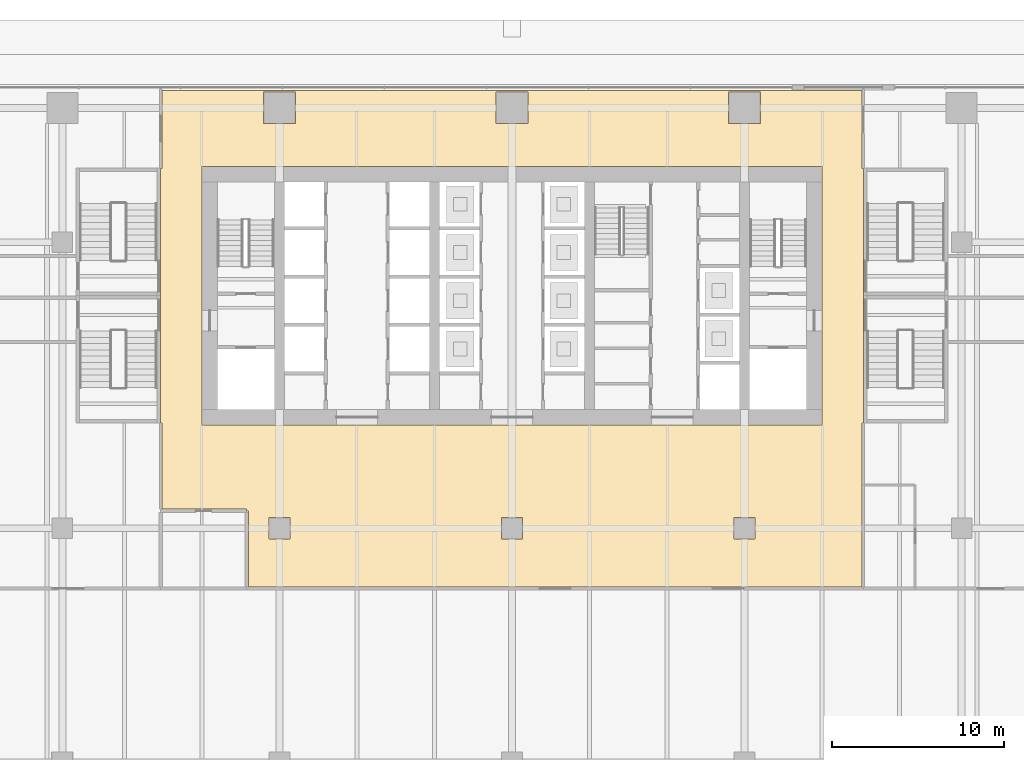
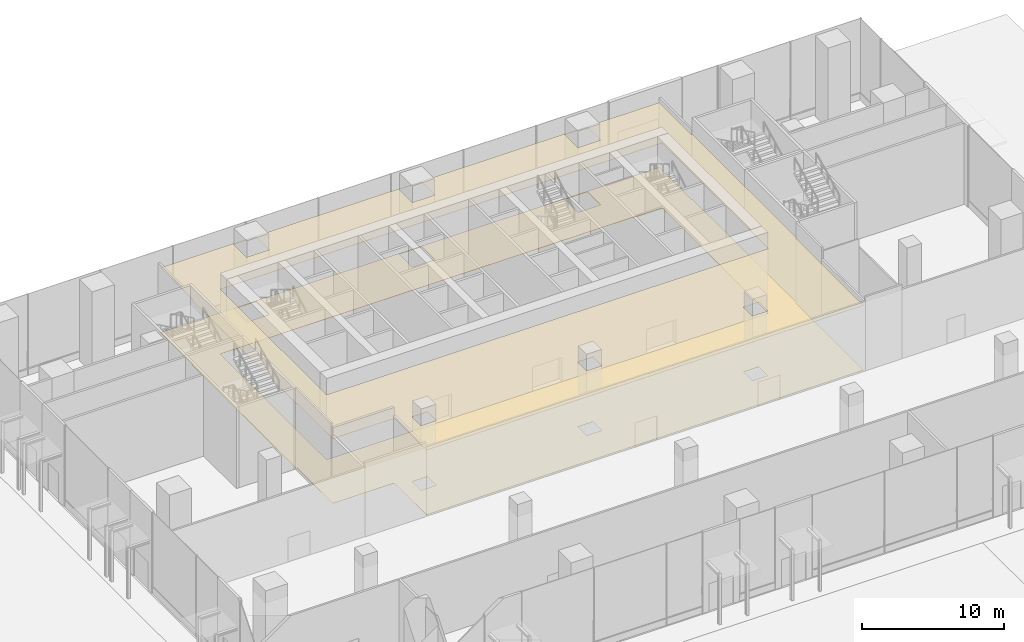
# One storey, part 37 of 41: 2 coverings.
"""IFC4 building model written with IfcOpenShell, lengths in metres."""

from ifc_helpers import new_model, si_unit, direction, frame, origin, place, context, subcontext, project, spatial, polyline, outline, extrude, material, layer, layer_set, type_object, element, save


model = new_model("IFC4")

# Units and contexts
model_context = context("Model", 3, precision=1e-05, world=origin(), true_north=direction((0.0, 1.0)))
body_context = subcontext(model_context, "Body", "Model", "MODEL_VIEW")
ifc_project = project(units=[si_unit("LENGTHUNIT", "METRE"), si_unit("AREAUNIT", "SQUARE_METRE"), si_unit("VOLUMEUNIT", "CUBIC_METRE"), si_unit("PLANEANGLEUNIT", "RADIAN"), si_unit("MASSUNIT", "GRAM", prefix="KILO")], contexts=[model_context])

# Site, building, storey
site_placement = place(None, origin())
site = spatial("IfcSite", under=ifc_project, at=site_placement, CompositionType="ELEMENT")
building_placement = place(site_placement, origin())
building = spatial("IfcBuilding", under=site, at=building_placement, Name="Rattan Terrace Tower", CompositionType="ELEMENT")
storey_placement = place(building_placement, origin())
storey = spatial("IfcBuildingStorey", under=building, at=storey_placement, Name="L00", CompositionType="ELEMENT", Elevation=0.0)

# Coverings
ifc_material_1 = material(Name="Polished limestone", Category="masonry")
ifc_layer_1 = layer(ifc_material_1, 0.02001953125)
ifc_layer_set_1 = layer_set([ifc_layer_1], Name="Lobby Floor Finish Stone 20")
covering_type_1 = type_object("IfcCoveringType", Name="Lobby Floor Finish Stone 20", PredefinedType="FLOORING", material=ifc_layer_set_1)
covering_1_placement = place(storey_placement, origin())
element("IfcCovering", 1, at=covering_1_placement, inside=storey, type_object=covering_type_1, Name="Floor finish L00-101", PredefinedType="FLOORING", context=body_context, shape_type="SweptSolid", body=[
    extrude(outline(polyline([(-20.39990234375, 7.3798828125), (-20.39990234375, 0.0), (-20.39990234375, -7.3798828125), (-20.324951171875, -7.3798828125), (-20.324951171875, -12.39990234375), (-15.39990234375, -12.39990234375), (-15.39990234375, -12.5), (-15.300048828125, -12.5), (-15.300048828125, -16.925048828125), (20.324951171875, -16.925048828125), (20.324951171875, -7.3798828125), (20.39990234375, -7.3798828125), (20.39990234375, 0.0), (20.39990234375, 7.3798828125), (20.324951171875, 7.3798828125), (20.324951171875, 11.909912109375), (-20.324951171875, 11.909912109375), (-20.324951171875, 7.3798828125), (-20.39990234375, 7.3798828125)]), holes=[polyline([(-18.0, -7.5), (18.0, -7.5), (18.0, 7.5), (-18.0, 7.5), (-18.0, -7.5)]), polyline([(14.410888671875, 9.98291015625), (14.4130859375, 9.98388671875), (14.4140625, 9.986083984375), (14.416015625, 9.987060546875), (14.4169921875, 9.989013671875), (14.41796875, 9.989990234375), (14.4189453125, 9.991943359375), (14.4189453125, 9.993896484375), (14.419921875, 9.99609375), (14.419921875, 9.998046875), (14.419921875, 10.0), (14.419921875, 11.800048828125), (14.419921875, 11.802001953125), (14.419921875, 11.803955078125), (14.4189453125, 11.805908203125), (14.4189453125, 11.80810546875), (14.41796875, 11.81005859375), (14.4169921875, 11.81103515625), (14.416015625, 11.81298828125), (14.4140625, 11.81396484375), (14.4130859375, 11.81591796875), (14.410888671875, 11.81689453125), (14.409912109375, 11.818115234375), (14.407958984375, 11.819091796875), (14.406005859375, 11.819091796875), (14.404052734375, 11.820068359375), (14.402099609375, 11.820068359375), (14.39990234375, 11.820068359375), (12.60009765625, 11.820068359375), (12.597900390625, 11.820068359375), (12.595947265625, 11.820068359375), (12.593994140625, 11.819091796875), (12.592041015625, 11.819091796875), (12.590087890625, 11.818115234375), (12.589111328125, 11.81689453125), (12.5869140625, 11.81591796875), (12.5859375, 11.81396484375), (12.583984375, 11.81298828125), (12.5830078125, 11.81103515625), (12.58203125, 11.81005859375), (12.5810546875, 11.80810546875), (12.5810546875, 11.805908203125), (12.580078125, 11.803955078125), (12.580078125, 11.802001953125), (12.580078125, 11.800048828125), (12.580078125, 10.0), (12.580078125, 9.998046875), (12.580078125, 9.99609375), (12.5810546875, 9.993896484375), (12.5810546875, 9.991943359375), (12.58203125, 9.989990234375), (12.5830078125, 9.989013671875), (12.583984375, 9.987060546875), (12.5859375, 9.986083984375), (12.5869140625, 9.98388671875), (12.589111328125, 9.98291015625), (12.590087890625, 9.98193359375), (12.592041015625, 9.98095703125), (12.593994140625, 9.98095703125), (12.595947265625, 9.97998046875), (12.597900390625, 9.97998046875), (12.60009765625, 9.97998046875), (14.39990234375, 9.97998046875), (14.402099609375, 9.97998046875), (14.404052734375, 9.97998046875), (14.406005859375, 9.98095703125), (14.407958984375, 9.98095703125), (14.409912109375, 9.98193359375), (14.410888671875, 9.98291015625)]), polyline([(14.1201171875, -14.10400390625), (14.1201171875, -14.10205078125), (14.1201171875, -14.10009765625), (14.1201171875, -12.89990234375), (14.1201171875, -12.89794921875), (14.1201171875, -12.89599609375), (14.118896484375, -12.89404296875), (14.118896484375, -12.89208984375), (14.117919921875, -12.889892578125), (14.116943359375, -12.888916015625), (14.115966796875, -12.886962890625), (14.114013671875, -12.885986328125), (14.113037109375, -12.884033203125), (14.111083984375, -12.883056640625), (14.110107421875, -12.882080078125), (14.10791015625, -12.881103515625), (14.10595703125, -12.881103515625), (14.10400390625, -12.8798828125), (14.10205078125, -12.8798828125), (14.10009765625, -12.8798828125), (12.89990234375, -12.8798828125), (12.89794921875, -12.8798828125), (12.89599609375, -12.8798828125), (12.89404296875, -12.881103515625), (12.89208984375, -12.881103515625), (12.889892578125, -12.882080078125), (12.888916015625, -12.883056640625), (12.886962890625, -12.884033203125), (12.885986328125, -12.885986328125), (12.884033203125, -12.886962890625), (12.883056640625, -12.888916015625), (12.882080078125, -12.889892578125), (12.881103515625, -12.89208984375), (12.881103515625, -12.89404296875), (12.8798828125, -12.89599609375), (12.8798828125, -12.89794921875), (12.8798828125, -12.89990234375), (12.8798828125, -14.10009765625), (12.8798828125, -14.10205078125), (12.8798828125, -14.10400390625), (12.881103515625, -14.10595703125), (12.881103515625, -14.10791015625), (12.882080078125, -14.110107421875), (12.883056640625, -14.111083984375), (12.884033203125, -14.113037109375), (12.885986328125, -14.114013671875), (12.886962890625, -14.115966796875), (12.888916015625, -14.116943359375), (12.889892578125, -14.117919921875), (12.89208984375, -14.118896484375), (12.89404296875, -14.118896484375), (12.89599609375, -14.1201171875), (12.89794921875, -14.1201171875), (12.89990234375, -14.1201171875), (14.10009765625, -14.1201171875), (14.10205078125, -14.1201171875), (14.10400390625, -14.1201171875), (14.10595703125, -14.118896484375), (14.10791015625, -14.118896484375), (14.110107421875, -14.117919921875), (14.111083984375, -14.116943359375), (14.113037109375, -14.115966796875), (14.114013671875, -14.114013671875), (14.115966796875, -14.113037109375), (14.116943359375, -14.111083984375), (14.117919921875, -14.110107421875), (14.118896484375, -14.10791015625), (14.118896484375, -14.10595703125), (14.1201171875, -14.10400390625)]), polyline([(0.909912109375, 9.98193359375), (0.910888671875, 9.98291015625), (0.9130859375, 9.98388671875), (0.9140625, 9.986083984375), (0.916015625, 9.987060546875), (0.9169921875, 9.989013671875), (0.91796875, 9.989990234375), (0.9189453125, 9.991943359375), (0.9189453125, 9.993896484375), (0.919921875, 9.99609375), (0.919921875, 9.998046875), (0.919921875, 10.0), (0.919921875, 11.800048828125), (0.919921875, 11.802001953125), (0.919921875, 11.803955078125), (0.9189453125, 11.805908203125), (0.9189453125, 11.80810546875), (0.91796875, 11.81005859375), (0.9169921875, 11.81103515625), (0.916015625, 11.81298828125), (0.9140625, 11.81396484375), (0.9130859375, 11.81591796875), (0.910888671875, 11.81689453125), (0.909912109375, 11.818115234375), (0.907958984375, 11.819091796875), (0.906005859375, 11.819091796875), (0.904052734375, 11.820068359375), (0.902099609375, 11.820068359375), (0.89990234375, 11.820068359375), (-0.89990234375, 11.820068359375), (-0.902099609375, 11.820068359375), (-0.904052734375, 11.820068359375), (-0.906005859375, 11.819091796875), (-0.907958984375, 11.819091796875), (-0.909912109375, 11.818115234375), (-0.910888671875, 11.81689453125), (-0.9130859375, 11.81591796875), (-0.9140625, 11.81396484375), (-0.916015625, 11.81298828125), (-0.9169921875, 11.81103515625), (-0.91796875, 11.81005859375), (-0.9189453125, 11.80810546875), (-0.9189453125, 11.805908203125), (-0.919921875, 11.803955078125), (-0.919921875, 11.802001953125), (-0.919921875, 11.800048828125), (-0.919921875, 10.0), (-0.919921875, 9.998046875), (-0.919921875, 9.99609375), (-0.9189453125, 9.993896484375), (-0.9189453125, 9.991943359375), (-0.91796875, 9.989990234375), (-0.9169921875, 9.989013671875), (-0.916015625, 9.987060546875), (-0.9140625, 9.986083984375), (-0.9130859375, 9.98388671875), (-0.910888671875, 9.98291015625), (-0.909912109375, 9.98193359375), (-0.907958984375, 9.98095703125), (-0.906005859375, 9.98095703125), (-0.904052734375, 9.97998046875), (-0.902099609375, 9.97998046875), (-0.89990234375, 9.97998046875), (0.89990234375, 9.97998046875), (0.902099609375, 9.97998046875), (0.904052734375, 9.97998046875), (0.906005859375, 9.98095703125), (0.907958984375, 9.98095703125), (0.909912109375, 9.98193359375)]), polyline([(0.6201171875, -14.10205078125), (0.6201171875, -14.10009765625), (0.6201171875, -12.89990234375), (0.6201171875, -12.89794921875), (0.6201171875, -12.89599609375), (0.618896484375, -12.89404296875), (0.618896484375, -12.89208984375), (0.617919921875, -12.889892578125), (0.616943359375, -12.888916015625), (0.615966796875, -12.886962890625), (0.614013671875, -12.885986328125), (0.613037109375, -12.884033203125), (0.611083984375, -12.883056640625), (0.610107421875, -12.882080078125), (0.60791015625, -12.881103515625), (0.60595703125, -12.881103515625), (0.60400390625, -12.8798828125), (0.60205078125, -12.8798828125), (0.60009765625, -12.8798828125), (-0.60009765625, -12.8798828125), (-0.60205078125, -12.8798828125), (-0.60400390625, -12.8798828125), (-0.60595703125, -12.881103515625), (-0.60791015625, -12.881103515625), (-0.610107421875, -12.882080078125), (-0.611083984375, -12.883056640625), (-0.613037109375, -12.884033203125), (-0.614013671875, -12.885986328125), (-0.615966796875, -12.886962890625), (-0.616943359375, -12.888916015625), (-0.617919921875, -12.889892578125), (-0.618896484375, -12.89208984375), (-0.618896484375, -12.89404296875), (-0.6201171875, -12.89599609375), (-0.6201171875, -12.89794921875), (-0.6201171875, -12.89990234375), (-0.6201171875, -14.10009765625), (-0.6201171875, -14.10205078125), (-0.6201171875, -14.10400390625), (-0.618896484375, -14.10595703125), (-0.618896484375, -14.10791015625), (-0.617919921875, -14.110107421875), (-0.616943359375, -14.111083984375), (-0.615966796875, -14.113037109375), (-0.614013671875, -14.114013671875), (-0.613037109375, -14.115966796875), (-0.611083984375, -14.116943359375), (-0.610107421875, -14.117919921875), (-0.60791015625, -14.118896484375), (-0.60595703125, -14.118896484375), (-0.60400390625, -14.1201171875), (-0.60205078125, -14.1201171875), (-0.60009765625, -14.1201171875), (0.60009765625, -14.1201171875), (0.60205078125, -14.1201171875), (0.60400390625, -14.1201171875), (0.60595703125, -14.118896484375), (0.60791015625, -14.118896484375), (0.610107421875, -14.117919921875), (0.611083984375, -14.116943359375), (0.613037109375, -14.115966796875), (0.614013671875, -14.114013671875), (0.615966796875, -14.113037109375), (0.616943359375, -14.111083984375), (0.617919921875, -14.110107421875), (0.618896484375, -14.10791015625), (0.618896484375, -14.10595703125), (0.6201171875, -14.10400390625), (0.6201171875, -14.10205078125)]), polyline([(-12.592041015625, 9.98095703125), (-12.590087890625, 9.98193359375), (-12.589111328125, 9.98291015625), (-12.5869140625, 9.98388671875), (-12.5859375, 9.986083984375), (-12.583984375, 9.987060546875), (-12.5830078125, 9.989013671875), (-12.58203125, 9.989990234375), (-12.5810546875, 9.991943359375), (-12.5810546875, 9.993896484375), (-12.580078125, 9.99609375), (-12.580078125, 9.998046875), (-12.580078125, 10.0), (-12.580078125, 11.800048828125), (-12.580078125, 11.802001953125), (-12.580078125, 11.803955078125), (-12.5810546875, 11.805908203125), (-12.5810546875, 11.80810546875), (-12.58203125, 11.81005859375), (-12.5830078125, 11.81103515625), (-12.583984375, 11.81298828125), (-12.5859375, 11.81396484375), (-12.5869140625, 11.81591796875), (-12.589111328125, 11.81689453125), (-12.590087890625, 11.818115234375), (-12.592041015625, 11.819091796875), (-12.593994140625, 11.819091796875), (-12.595947265625, 11.820068359375), (-12.597900390625, 11.820068359375), (-12.60009765625, 11.820068359375), (-14.39990234375, 11.820068359375), (-14.402099609375, 11.820068359375), (-14.404052734375, 11.820068359375), (-14.406005859375, 11.819091796875), (-14.407958984375, 11.819091796875), (-14.409912109375, 11.818115234375), (-14.410888671875, 11.81689453125), (-14.4130859375, 11.81591796875), (-14.4140625, 11.81396484375), (-14.416015625, 11.81298828125), (-14.4169921875, 11.81103515625), (-14.41796875, 11.81005859375), (-14.4189453125, 11.80810546875), (-14.4189453125, 11.805908203125), (-14.419921875, 11.803955078125), (-14.419921875, 11.802001953125), (-14.419921875, 11.800048828125), (-14.419921875, 10.0), (-14.419921875, 9.998046875), (-14.419921875, 9.99609375), (-14.4189453125, 9.993896484375), (-14.4189453125, 9.991943359375), (-14.41796875, 9.989990234375), (-14.4169921875, 9.989013671875), (-14.416015625, 9.987060546875), (-14.4140625, 9.986083984375), (-14.4130859375, 9.98388671875), (-14.410888671875, 9.98291015625), (-14.409912109375, 9.98193359375), (-14.407958984375, 9.98095703125), (-14.406005859375, 9.98095703125), (-14.404052734375, 9.97998046875), (-14.402099609375, 9.97998046875), (-14.39990234375, 9.97998046875), (-12.60009765625, 9.97998046875), (-12.597900390625, 9.97998046875), (-12.595947265625, 9.97998046875), (-12.593994140625, 9.98095703125), (-12.592041015625, 9.98095703125)]), polyline([(-12.8798828125, -14.10400390625), (-12.8798828125, -14.10205078125), (-12.8798828125, -14.10009765625), (-12.8798828125, -12.89990234375), (-12.8798828125, -12.89794921875), (-12.8798828125, -12.89599609375), (-12.881103515625, -12.89404296875), (-12.881103515625, -12.89208984375), (-12.882080078125, -12.889892578125), (-12.883056640625, -12.888916015625), (-12.884033203125, -12.886962890625), (-12.885986328125, -12.885986328125), (-12.886962890625, -12.884033203125), (-12.888916015625, -12.883056640625), (-12.889892578125, -12.882080078125), (-12.89208984375, -12.881103515625), (-12.89404296875, -12.881103515625), (-12.89599609375, -12.8798828125), (-12.89794921875, -12.8798828125), (-12.89990234375, -12.8798828125), (-14.10009765625, -12.8798828125), (-14.10205078125, -12.8798828125), (-14.10400390625, -12.8798828125), (-14.10595703125, -12.881103515625), (-14.10791015625, -12.881103515625), (-14.110107421875, -12.882080078125), (-14.111083984375, -12.883056640625), (-14.113037109375, -12.884033203125), (-14.114013671875, -12.885986328125), (-14.115966796875, -12.886962890625), (-14.116943359375, -12.888916015625), (-14.117919921875, -12.889892578125), (-14.118896484375, -12.89208984375), (-14.118896484375, -12.89404296875), (-14.1201171875, -12.89599609375), (-14.1201171875, -12.89794921875), (-14.1201171875, -12.89990234375), (-14.1201171875, -14.10009765625), (-14.1201171875, -14.10205078125), (-14.1201171875, -14.10400390625), (-14.118896484375, -14.10595703125), (-14.118896484375, -14.10791015625), (-14.117919921875, -14.110107421875), (-14.116943359375, -14.111083984375), (-14.115966796875, -14.113037109375), (-14.114013671875, -14.114013671875), (-14.113037109375, -14.115966796875), (-14.111083984375, -14.116943359375), (-14.110107421875, -14.117919921875), (-14.10791015625, -14.118896484375), (-14.10595703125, -14.118896484375), (-14.10400390625, -14.1201171875), (-14.10205078125, -14.1201171875), (-14.10009765625, -14.1201171875), (-12.89990234375, -14.1201171875), (-12.89794921875, -14.1201171875), (-12.89599609375, -14.1201171875), (-12.89404296875, -14.118896484375), (-12.89208984375, -14.118896484375), (-12.889892578125, -14.117919921875), (-12.888916015625, -14.116943359375), (-12.886962890625, -14.115966796875), (-12.885986328125, -14.114013671875), (-12.884033203125, -14.113037109375), (-12.883056640625, -14.111083984375), (-12.882080078125, -14.110107421875), (-12.881103515625, -14.10791015625), (-12.881103515625, -14.10595703125), (-12.8798828125, -14.10400390625)])]), origin(), (0.0, 0.0, 1.0), 0.02001953125),
])
ifc_material_2 = material(Name="Gypsum board, painted")
ifc_layer_2 = layer(ifc_material_2, 0.02490234375)
ifc_layer_set_2 = layer_set([ifc_layer_2], Name="Suspended Ceiling Gypsum 25")
covering_type_2 = type_object("IfcCoveringType", Name="Suspended Ceiling Gypsum 25", PredefinedType="CEILING", material=ifc_layer_set_2)
covering_2_placement = place(storey_placement, frame((0.0, 0.0, 5.574951171875)))
element("IfcCovering", 2, at=covering_2_placement, inside=storey, type_object=covering_type_2, Name="Ceiling L00-101", PredefinedType="CEILING", context=body_context, shape_type="SweptSolid", body=[
    extrude(outline(polyline([(-20.39990234375, 7.3798828125), (-20.39990234375, 0.0), (-20.39990234375, -7.3798828125), (-20.324951171875, -7.3798828125), (-20.324951171875, -12.39990234375), (-15.39990234375, -12.39990234375), (-15.39990234375, -12.5), (-15.300048828125, -12.5), (-15.300048828125, -16.925048828125), (20.324951171875, -16.925048828125), (20.324951171875, -7.3798828125), (20.39990234375, -7.3798828125), (20.39990234375, 0.0), (20.39990234375, 7.3798828125), (20.324951171875, 7.3798828125), (20.324951171875, 11.909912109375), (-20.324951171875, 11.909912109375), (-20.324951171875, 7.3798828125), (-20.39990234375, 7.3798828125)]), holes=[polyline([(-18.0, -7.5), (18.0, -7.5), (18.0, 7.5), (-18.0, 7.5), (-18.0, -7.5)]), polyline([(14.410888671875, 9.98291015625), (14.4130859375, 9.98388671875), (14.4140625, 9.986083984375), (14.416015625, 9.987060546875), (14.4169921875, 9.989013671875), (14.41796875, 9.989990234375), (14.4189453125, 9.991943359375), (14.4189453125, 9.993896484375), (14.419921875, 9.99609375), (14.419921875, 9.998046875), (14.419921875, 10.0), (14.419921875, 11.800048828125), (14.419921875, 11.802001953125), (14.419921875, 11.803955078125), (14.4189453125, 11.805908203125), (14.4189453125, 11.80810546875), (14.41796875, 11.81005859375), (14.4169921875, 11.81103515625), (14.416015625, 11.81298828125), (14.4140625, 11.81396484375), (14.4130859375, 11.81591796875), (14.410888671875, 11.81689453125), (14.409912109375, 11.818115234375), (14.407958984375, 11.819091796875), (14.406005859375, 11.819091796875), (14.404052734375, 11.820068359375), (14.402099609375, 11.820068359375), (14.39990234375, 11.820068359375), (12.60009765625, 11.820068359375), (12.597900390625, 11.820068359375), (12.595947265625, 11.820068359375), (12.593994140625, 11.819091796875), (12.592041015625, 11.819091796875), (12.590087890625, 11.818115234375), (12.589111328125, 11.81689453125), (12.5869140625, 11.81591796875), (12.5859375, 11.81396484375), (12.583984375, 11.81298828125), (12.5830078125, 11.81103515625), (12.58203125, 11.81005859375), (12.5810546875, 11.80810546875), (12.5810546875, 11.805908203125), (12.580078125, 11.803955078125), (12.580078125, 11.802001953125), (12.580078125, 11.800048828125), (12.580078125, 10.0), (12.580078125, 9.998046875), (12.580078125, 9.99609375), (12.5810546875, 9.993896484375), (12.5810546875, 9.991943359375), (12.58203125, 9.989990234375), (12.5830078125, 9.989013671875), (12.583984375, 9.987060546875), (12.5859375, 9.986083984375), (12.5869140625, 9.98388671875), (12.589111328125, 9.98291015625), (12.590087890625, 9.98193359375), (12.592041015625, 9.98095703125), (12.593994140625, 9.98095703125), (12.595947265625, 9.97998046875), (12.597900390625, 9.97998046875), (12.60009765625, 9.97998046875), (14.39990234375, 9.97998046875), (14.402099609375, 9.97998046875), (14.404052734375, 9.97998046875), (14.406005859375, 9.98095703125), (14.407958984375, 9.98095703125), (14.409912109375, 9.98193359375), (14.410888671875, 9.98291015625)]), polyline([(14.1201171875, -14.10400390625), (14.1201171875, -14.10205078125), (14.1201171875, -14.10009765625), (14.1201171875, -12.89990234375), (14.1201171875, -12.89794921875), (14.1201171875, -12.89599609375), (14.118896484375, -12.89404296875), (14.118896484375, -12.89208984375), (14.117919921875, -12.889892578125), (14.116943359375, -12.888916015625), (14.115966796875, -12.886962890625), (14.114013671875, -12.885986328125), (14.113037109375, -12.884033203125), (14.111083984375, -12.883056640625), (14.110107421875, -12.882080078125), (14.10791015625, -12.881103515625), (14.10595703125, -12.881103515625), (14.10400390625, -12.8798828125), (14.10205078125, -12.8798828125), (14.10009765625, -12.8798828125), (12.89990234375, -12.8798828125), (12.89794921875, -12.8798828125), (12.89599609375, -12.8798828125), (12.89404296875, -12.881103515625), (12.89208984375, -12.881103515625), (12.889892578125, -12.882080078125), (12.888916015625, -12.883056640625), (12.886962890625, -12.884033203125), (12.885986328125, -12.885986328125), (12.884033203125, -12.886962890625), (12.883056640625, -12.888916015625), (12.882080078125, -12.889892578125), (12.881103515625, -12.89208984375), (12.881103515625, -12.89404296875), (12.8798828125, -12.89599609375), (12.8798828125, -12.89794921875), (12.8798828125, -12.89990234375), (12.8798828125, -14.10009765625), (12.8798828125, -14.10205078125), (12.8798828125, -14.10400390625), (12.881103515625, -14.10595703125), (12.881103515625, -14.10791015625), (12.882080078125, -14.110107421875), (12.883056640625, -14.111083984375), (12.884033203125, -14.113037109375), (12.885986328125, -14.114013671875), (12.886962890625, -14.115966796875), (12.888916015625, -14.116943359375), (12.889892578125, -14.117919921875), (12.89208984375, -14.118896484375), (12.89404296875, -14.118896484375), (12.89599609375, -14.1201171875), (12.89794921875, -14.1201171875), (12.89990234375, -14.1201171875), (14.10009765625, -14.1201171875), (14.10205078125, -14.1201171875), (14.10400390625, -14.1201171875), (14.10595703125, -14.118896484375), (14.10791015625, -14.118896484375), (14.110107421875, -14.117919921875), (14.111083984375, -14.116943359375), (14.113037109375, -14.115966796875), (14.114013671875, -14.114013671875), (14.115966796875, -14.113037109375), (14.116943359375, -14.111083984375), (14.117919921875, -14.110107421875), (14.118896484375, -14.10791015625), (14.118896484375, -14.10595703125), (14.1201171875, -14.10400390625)]), polyline([(0.909912109375, 9.98193359375), (0.910888671875, 9.98291015625), (0.9130859375, 9.98388671875), (0.9140625, 9.986083984375), (0.916015625, 9.987060546875), (0.9169921875, 9.989013671875), (0.91796875, 9.989990234375), (0.9189453125, 9.991943359375), (0.9189453125, 9.993896484375), (0.919921875, 9.99609375), (0.919921875, 9.998046875), (0.919921875, 10.0), (0.919921875, 11.800048828125), (0.919921875, 11.802001953125), (0.919921875, 11.803955078125), (0.9189453125, 11.805908203125), (0.9189453125, 11.80810546875), (0.91796875, 11.81005859375), (0.9169921875, 11.81103515625), (0.916015625, 11.81298828125), (0.9140625, 11.81396484375), (0.9130859375, 11.81591796875), (0.910888671875, 11.81689453125), (0.909912109375, 11.818115234375), (0.907958984375, 11.819091796875), (0.906005859375, 11.819091796875), (0.904052734375, 11.820068359375), (0.902099609375, 11.820068359375), (0.89990234375, 11.820068359375), (-0.89990234375, 11.820068359375), (-0.902099609375, 11.820068359375), (-0.904052734375, 11.820068359375), (-0.906005859375, 11.819091796875), (-0.907958984375, 11.819091796875), (-0.909912109375, 11.818115234375), (-0.910888671875, 11.81689453125), (-0.9130859375, 11.81591796875), (-0.9140625, 11.81396484375), (-0.916015625, 11.81298828125), (-0.9169921875, 11.81103515625), (-0.91796875, 11.81005859375), (-0.9189453125, 11.80810546875), (-0.9189453125, 11.805908203125), (-0.919921875, 11.803955078125), (-0.919921875, 11.802001953125), (-0.919921875, 11.800048828125), (-0.919921875, 10.0), (-0.919921875, 9.998046875), (-0.919921875, 9.99609375), (-0.9189453125, 9.993896484375), (-0.9189453125, 9.991943359375), (-0.91796875, 9.989990234375), (-0.9169921875, 9.989013671875), (-0.916015625, 9.987060546875), (-0.9140625, 9.986083984375), (-0.9130859375, 9.98388671875), (-0.910888671875, 9.98291015625), (-0.909912109375, 9.98193359375), (-0.907958984375, 9.98095703125), (-0.906005859375, 9.98095703125), (-0.904052734375, 9.97998046875), (-0.902099609375, 9.97998046875), (-0.89990234375, 9.97998046875), (0.89990234375, 9.97998046875), (0.902099609375, 9.97998046875), (0.904052734375, 9.97998046875), (0.906005859375, 9.98095703125), (0.907958984375, 9.98095703125), (0.909912109375, 9.98193359375)]), polyline([(0.6201171875, -14.10205078125), (0.6201171875, -14.10009765625), (0.6201171875, -12.89990234375), (0.6201171875, -12.89794921875), (0.6201171875, -12.89599609375), (0.618896484375, -12.89404296875), (0.618896484375, -12.89208984375), (0.617919921875, -12.889892578125), (0.616943359375, -12.888916015625), (0.615966796875, -12.886962890625), (0.614013671875, -12.885986328125), (0.613037109375, -12.884033203125), (0.611083984375, -12.883056640625), (0.610107421875, -12.882080078125), (0.60791015625, -12.881103515625), (0.60595703125, -12.881103515625), (0.60400390625, -12.8798828125), (0.60205078125, -12.8798828125), (0.60009765625, -12.8798828125), (-0.60009765625, -12.8798828125), (-0.60205078125, -12.8798828125), (-0.60400390625, -12.8798828125), (-0.60595703125, -12.881103515625), (-0.60791015625, -12.881103515625), (-0.610107421875, -12.882080078125), (-0.611083984375, -12.883056640625), (-0.613037109375, -12.884033203125), (-0.614013671875, -12.885986328125), (-0.615966796875, -12.886962890625), (-0.616943359375, -12.888916015625), (-0.617919921875, -12.889892578125), (-0.618896484375, -12.89208984375), (-0.618896484375, -12.89404296875), (-0.6201171875, -12.89599609375), (-0.6201171875, -12.89794921875), (-0.6201171875, -12.89990234375), (-0.6201171875, -14.10009765625), (-0.6201171875, -14.10205078125), (-0.6201171875, -14.10400390625), (-0.618896484375, -14.10595703125), (-0.618896484375, -14.10791015625), (-0.617919921875, -14.110107421875), (-0.616943359375, -14.111083984375), (-0.615966796875, -14.113037109375), (-0.614013671875, -14.114013671875), (-0.613037109375, -14.115966796875), (-0.611083984375, -14.116943359375), (-0.610107421875, -14.117919921875), (-0.60791015625, -14.118896484375), (-0.60595703125, -14.118896484375), (-0.60400390625, -14.1201171875), (-0.60205078125, -14.1201171875), (-0.60009765625, -14.1201171875), (0.60009765625, -14.1201171875), (0.60205078125, -14.1201171875), (0.60400390625, -14.1201171875), (0.60595703125, -14.118896484375), (0.60791015625, -14.118896484375), (0.610107421875, -14.117919921875), (0.611083984375, -14.116943359375), (0.613037109375, -14.115966796875), (0.614013671875, -14.114013671875), (0.615966796875, -14.113037109375), (0.616943359375, -14.111083984375), (0.617919921875, -14.110107421875), (0.618896484375, -14.10791015625), (0.618896484375, -14.10595703125), (0.6201171875, -14.10400390625), (0.6201171875, -14.10205078125)]), polyline([(-12.592041015625, 9.98095703125), (-12.590087890625, 9.98193359375), (-12.589111328125, 9.98291015625), (-12.5869140625, 9.98388671875), (-12.5859375, 9.986083984375), (-12.583984375, 9.987060546875), (-12.5830078125, 9.989013671875), (-12.58203125, 9.989990234375), (-12.5810546875, 9.991943359375), (-12.5810546875, 9.993896484375), (-12.580078125, 9.99609375), (-12.580078125, 9.998046875), (-12.580078125, 10.0), (-12.580078125, 11.800048828125), (-12.580078125, 11.802001953125), (-12.580078125, 11.803955078125), (-12.5810546875, 11.805908203125), (-12.5810546875, 11.80810546875), (-12.58203125, 11.81005859375), (-12.5830078125, 11.81103515625), (-12.583984375, 11.81298828125), (-12.5859375, 11.81396484375), (-12.5869140625, 11.81591796875), (-12.589111328125, 11.81689453125), (-12.590087890625, 11.818115234375), (-12.592041015625, 11.819091796875), (-12.593994140625, 11.819091796875), (-12.595947265625, 11.820068359375), (-12.597900390625, 11.820068359375), (-12.60009765625, 11.820068359375), (-14.39990234375, 11.820068359375), (-14.402099609375, 11.820068359375), (-14.404052734375, 11.820068359375), (-14.406005859375, 11.819091796875), (-14.407958984375, 11.819091796875), (-14.409912109375, 11.818115234375), (-14.410888671875, 11.81689453125), (-14.4130859375, 11.81591796875), (-14.4140625, 11.81396484375), (-14.416015625, 11.81298828125), (-14.4169921875, 11.81103515625), (-14.41796875, 11.81005859375), (-14.4189453125, 11.80810546875), (-14.4189453125, 11.805908203125), (-14.419921875, 11.803955078125), (-14.419921875, 11.802001953125), (-14.419921875, 11.800048828125), (-14.419921875, 10.0), (-14.419921875, 9.998046875), (-14.419921875, 9.99609375), (-14.4189453125, 9.993896484375), (-14.4189453125, 9.991943359375), (-14.41796875, 9.989990234375), (-14.4169921875, 9.989013671875), (-14.416015625, 9.987060546875), (-14.4140625, 9.986083984375), (-14.4130859375, 9.98388671875), (-14.410888671875, 9.98291015625), (-14.409912109375, 9.98193359375), (-14.407958984375, 9.98095703125), (-14.406005859375, 9.98095703125), (-14.404052734375, 9.97998046875), (-14.402099609375, 9.97998046875), (-14.39990234375, 9.97998046875), (-12.60009765625, 9.97998046875), (-12.597900390625, 9.97998046875), (-12.595947265625, 9.97998046875), (-12.593994140625, 9.98095703125), (-12.592041015625, 9.98095703125)]), polyline([(-12.8798828125, -14.10400390625), (-12.8798828125, -14.10205078125), (-12.8798828125, -14.10009765625), (-12.8798828125, -12.89990234375), (-12.8798828125, -12.89794921875), (-12.8798828125, -12.89599609375), (-12.881103515625, -12.89404296875), (-12.881103515625, -12.89208984375), (-12.882080078125, -12.889892578125), (-12.883056640625, -12.888916015625), (-12.884033203125, -12.886962890625), (-12.885986328125, -12.885986328125), (-12.886962890625, -12.884033203125), (-12.888916015625, -12.883056640625), (-12.889892578125, -12.882080078125), (-12.89208984375, -12.881103515625), (-12.89404296875, -12.881103515625), (-12.89599609375, -12.8798828125), (-12.89794921875, -12.8798828125), (-12.89990234375, -12.8798828125), (-14.10009765625, -12.8798828125), (-14.10205078125, -12.8798828125), (-14.10400390625, -12.8798828125), (-14.10595703125, -12.881103515625), (-14.10791015625, -12.881103515625), (-14.110107421875, -12.882080078125), (-14.111083984375, -12.883056640625), (-14.113037109375, -12.884033203125), (-14.114013671875, -12.885986328125), (-14.115966796875, -12.886962890625), (-14.116943359375, -12.888916015625), (-14.117919921875, -12.889892578125), (-14.118896484375, -12.89208984375), (-14.118896484375, -12.89404296875), (-14.1201171875, -12.89599609375), (-14.1201171875, -12.89794921875), (-14.1201171875, -12.89990234375), (-14.1201171875, -14.10009765625), (-14.1201171875, -14.10205078125), (-14.1201171875, -14.10400390625), (-14.118896484375, -14.10595703125), (-14.118896484375, -14.10791015625), (-14.117919921875, -14.110107421875), (-14.116943359375, -14.111083984375), (-14.115966796875, -14.113037109375), (-14.114013671875, -14.114013671875), (-14.113037109375, -14.115966796875), (-14.111083984375, -14.116943359375), (-14.110107421875, -14.117919921875), (-14.10791015625, -14.118896484375), (-14.10595703125, -14.118896484375), (-14.10400390625, -14.1201171875), (-14.10205078125, -14.1201171875), (-14.10009765625, -14.1201171875), (-12.89990234375, -14.1201171875), (-12.89794921875, -14.1201171875), (-12.89599609375, -14.1201171875), (-12.89404296875, -14.118896484375), (-12.89208984375, -14.118896484375), (-12.889892578125, -14.117919921875), (-12.888916015625, -14.116943359375), (-12.886962890625, -14.115966796875), (-12.885986328125, -14.114013671875), (-12.884033203125, -14.113037109375), (-12.883056640625, -14.111083984375), (-12.882080078125, -14.110107421875), (-12.881103515625, -14.10791015625), (-12.881103515625, -14.10595703125), (-12.8798828125, -14.10400390625)])]), origin(), (0.0, 0.0, 1.0), 0.025146484375),
])

save(model, "model.ifc")
